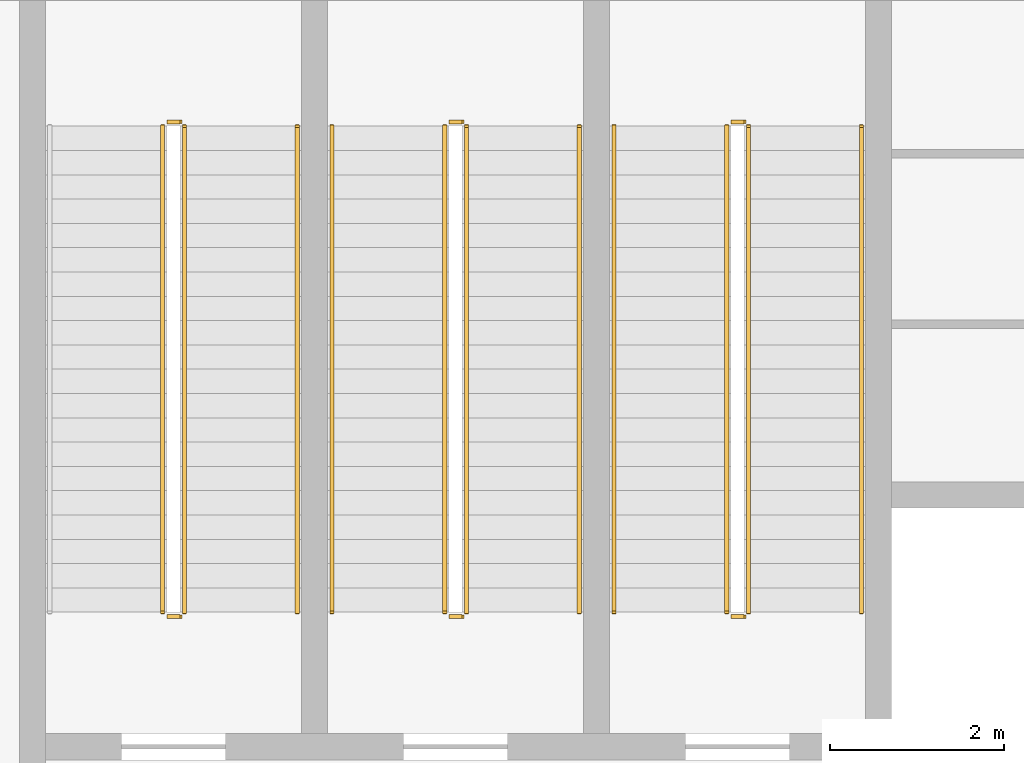
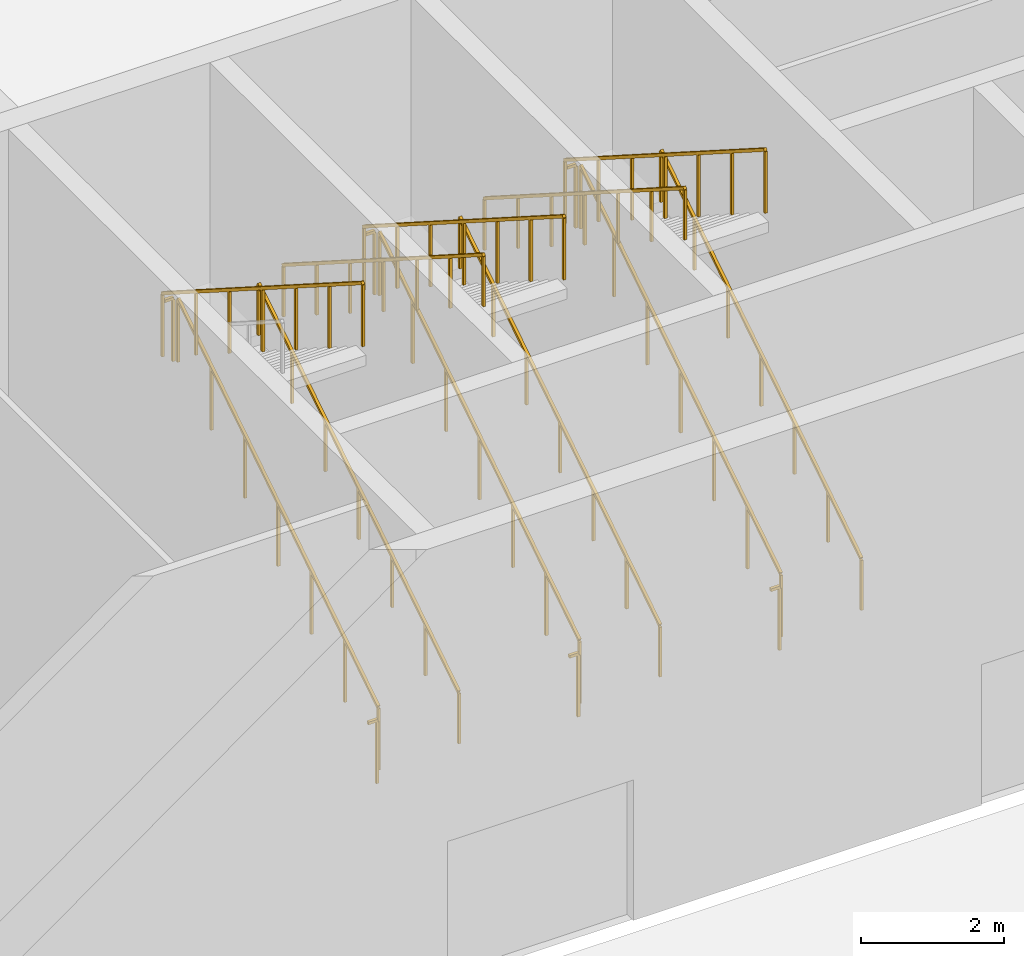
# One storey, part 54 of 79: 17 railings.
"""IFC4 building model written with IfcOpenShell, lengths in metres."""

from ifc_helpers import new_model, si_unit, direction, frame, origin, origin_2d, place, context, subcontext, project, spatial, rectangle, extrude, material, type_object, element, save


model = new_model("IFC4")

# Units and contexts
model_context = context("Model", 3, precision=1e-05, world=origin(), true_north=direction((0.0, 1.0)))
body_context = subcontext(model_context, "Body", "Model", "MODEL_VIEW")
ifc_project = project(units=[si_unit("LENGTHUNIT", "METRE"), si_unit("AREAUNIT", "SQUARE_METRE"), si_unit("VOLUMEUNIT", "CUBIC_METRE"), si_unit("PLANEANGLEUNIT", "RADIAN"), si_unit("MASSUNIT", "GRAM", prefix="KILO")], contexts=[model_context])

# Site, building, storey
site_placement = place(None, origin())
site = spatial("IfcSite", under=ifc_project, at=site_placement, CompositionType="ELEMENT")
building_placement = place(site_placement, origin())
building = spatial("IfcBuilding", under=site, at=building_placement, Name="Noorbagh Ring Tower", CompositionType="ELEMENT")
storey_placement = place(building_placement, origin())
storey = spatial("IfcBuildingStorey", under=building, at=storey_placement, Name="L00", CompositionType="ELEMENT", Elevation=0.0)

# Railings
ifc_material_1 = material(Name="Stainless steel", Category="steel")
railing_type_1 = type_object("IfcRailingType", Name="TH-STAIR-GUARD", PredefinedType="GUARDRAIL", material=ifc_material_1)
railing_1_placement = place(storey_placement, frame((-123.25, -16.25, 0.178466796875)))
element("IfcRailing", 1, at=railing_1_placement, inside=storey, type_object=railing_type_1, Name="L00 TSS1 stair guard 1", PredefinedType="GUARDRAIL", context=body_context, shape_type="SweptSolid", body=[
    extrude(rectangle(XDim=0.048095703125, YDim=0.048095703125, at=origin_2d()), frame((0.0, 0.0, 1.076171875), z_axis=(0.0, 0.843126799516, 0.537714794233), x_axis=(-1.0, 0.0, 0.0)), (0.0, 0.0, 1.0), 6.64208984375),
    extrude(rectangle(XDim=0.0419921875, YDim=0.0419921875, at=origin_2d()), origin(), (0.0, 0.0, 1.0), 1.052001953125),
    extrude(rectangle(XDim=0.0419921875, YDim=0.0419921875, at=origin_2d()), frame((0.0, 0.933349609375, 0.59521484375)), (0.0, 0.0, 1.0), 1.052001953125),
    extrude(rectangle(XDim=0.0419921875, YDim=0.0419921875, at=origin_2d()), frame((0.0, 1.86669921875, 1.1904296875)), (0.0, 0.0, 1.0), 1.052001953125),
    extrude(rectangle(XDim=0.0419921875, YDim=0.0419921875, at=origin_2d()), frame((0.0, 2.800048828125, 1.78564453125)), (0.0, 0.0, 1.0), 1.052001953125),
    extrude(rectangle(XDim=0.0419921875, YDim=0.0419921875, at=origin_2d()), frame((0.0, 3.7333984375, 2.381103515625)), (0.0, 0.0, 1.0), 1.052001953125),
    extrude(rectangle(XDim=0.0419921875, YDim=0.0419921875, at=origin_2d()), frame((0.0, 4.666748046875, 2.976318359375)), (0.0, 0.0, 1.0), 1.052001953125),
    extrude(rectangle(XDim=0.0419921875, YDim=0.0419921875, at=origin_2d()), frame((0.0, 5.60009765625, 3.571533203125)), (0.0, 0.0, 1.0), 1.052001953125),
])
railing_2_placement = place(storey_placement, frame((-123.300048828125, -10.60009765625, 3.75)))
element("IfcRailing", 2, at=railing_2_placement, inside=storey, type_object=railing_type_1, Name="L00 TSS1 stair guard 2", PredefinedType="GUARDRAIL", context=body_context, shape_type="SweptSolid", body=[
    extrude(rectangle(XDim=0.048095703125, YDim=0.048095703125, at=origin_2d()), frame((0.0, 0.0, 1.076171875), z_axis=(-1.0, 0.0, 0.0), x_axis=(0.0, -1.0, 0.0)), (0.0, 0.0, 1.0), 0.14990234375),
    extrude(rectangle(XDim=0.0419921875, YDim=0.0419921875, at=origin_2d()), origin(), (0.0, 0.0, 1.0), 1.052001953125),
])
railing_3_placement = place(storey_placement, frame((-123.5, -10.64990234375, 3.928466796875)))
element("IfcRailing", 3, at=railing_3_placement, inside=storey, type_object=railing_type_1, Name="L00 TSS1 stair guard 3", PredefinedType="GUARDRAIL", context=body_context, shape_type="SweptSolid", body=[
    extrude(rectangle(XDim=0.048095703125, YDim=0.048095703125, at=origin_2d()), frame((0.0, 0.0, 1.076171875), z_axis=(0.0, -0.843126799516, 0.537714794233), x_axis=(1.0, 0.0, 0.0)), (0.0, 0.0, 1.0), 6.64208984375),
    extrude(rectangle(XDim=0.0419921875, YDim=0.0419921875, at=origin_2d()), origin(), (0.0, 0.0, 1.0), 1.052001953125),
    extrude(rectangle(XDim=0.0419921875, YDim=0.0419921875, at=origin_2d()), frame((0.0, -0.933349609375, 0.59521484375)), (0.0, 0.0, 1.0), 1.052001953125),
    extrude(rectangle(XDim=0.0419921875, YDim=0.0419921875, at=origin_2d()), frame((0.0, -1.86669921875, 1.1904296875)), (0.0, 0.0, 1.0), 1.052001953125),
    extrude(rectangle(XDim=0.0419921875, YDim=0.0419921875, at=origin_2d()), frame((0.0, -2.800048828125, 1.78564453125)), (0.0, 0.0, 1.0), 1.052001953125),
    extrude(rectangle(XDim=0.0419921875, YDim=0.0419921875, at=origin_2d()), frame((0.0, -3.7333984375, 2.381103515625)), (0.0, 0.0, 1.0), 1.052001953125),
    extrude(rectangle(XDim=0.0419921875, YDim=0.0419921875, at=origin_2d()), frame((0.0, -4.666748046875, 2.976318359375)), (0.0, 0.0, 1.0), 1.052001953125),
    extrude(rectangle(XDim=0.0419921875, YDim=0.0419921875, at=origin_2d()), frame((0.0, -5.60009765625, 3.571533203125)), (0.0, 0.0, 1.0), 1.052001953125),
])
railing_4_placement = place(storey_placement, frame((-123.300048828125, -16.300048828125, 0.0)))
element("IfcRailing", 4, at=railing_4_placement, inside=storey, type_object=railing_type_1, Name="L00 TSS1 stair guard 4", PredefinedType="GUARDRAIL", context=body_context, shape_type="SweptSolid", body=[
    extrude(rectangle(XDim=0.048095703125, YDim=0.048095703125, at=origin_2d()), frame((0.0, 0.0, 1.076171875), z_axis=(-1.0, 0.0, 0.0), x_axis=(0.0, -1.0, 0.0)), (0.0, 0.0, 1.0), 0.14990234375),
    extrude(rectangle(XDim=0.0419921875, YDim=0.0419921875, at=origin_2d()), origin(), (0.0, 0.0, 1.0), 1.052001953125),
])
railing_5_placement = place(storey_placement, frame((-120.0, -16.25, 0.178466796875)))
element("IfcRailing", 5, at=railing_5_placement, inside=storey, type_object=railing_type_1, Name="L00 TSS2 stair guard 1", PredefinedType="GUARDRAIL", context=body_context, shape_type="SweptSolid", body=[
    extrude(rectangle(XDim=0.048095703125, YDim=0.048095703125, at=origin_2d()), frame((0.0, 0.0, 1.076171875), z_axis=(0.0, 0.843126799516, 0.537714794233), x_axis=(-1.0, 0.0, 0.0)), (0.0, 0.0, 1.0), 6.64208984375),
    extrude(rectangle(XDim=0.0419921875, YDim=0.0419921875, at=origin_2d()), origin(), (0.0, 0.0, 1.0), 1.052001953125),
    extrude(rectangle(XDim=0.0419921875, YDim=0.0419921875, at=origin_2d()), frame((0.0, 0.933349609375, 0.59521484375)), (0.0, 0.0, 1.0), 1.052001953125),
    extrude(rectangle(XDim=0.0419921875, YDim=0.0419921875, at=origin_2d()), frame((0.0, 1.86669921875, 1.1904296875)), (0.0, 0.0, 1.0), 1.052001953125),
    extrude(rectangle(XDim=0.0419921875, YDim=0.0419921875, at=origin_2d()), frame((0.0, 2.800048828125, 1.78564453125)), (0.0, 0.0, 1.0), 1.052001953125),
    extrude(rectangle(XDim=0.0419921875, YDim=0.0419921875, at=origin_2d()), frame((0.0, 3.7333984375, 2.381103515625)), (0.0, 0.0, 1.0), 1.052001953125),
    extrude(rectangle(XDim=0.0419921875, YDim=0.0419921875, at=origin_2d()), frame((0.0, 4.666748046875, 2.976318359375)), (0.0, 0.0, 1.0), 1.052001953125),
    extrude(rectangle(XDim=0.0419921875, YDim=0.0419921875, at=origin_2d()), frame((0.0, 5.60009765625, 3.571533203125)), (0.0, 0.0, 1.0), 1.052001953125),
])
railing_6_placement = place(storey_placement, frame((-120.050048828125, -10.60009765625, 3.75)))
element("IfcRailing", 6, at=railing_6_placement, inside=storey, type_object=railing_type_1, Name="L00 TSS2 stair guard 2", PredefinedType="GUARDRAIL", context=body_context, shape_type="SweptSolid", body=[
    extrude(rectangle(XDim=0.048095703125, YDim=0.048095703125, at=origin_2d()), frame((0.0, 0.0, 1.076171875), z_axis=(-1.0, 0.0, 0.0), x_axis=(0.0, -1.0, 0.0)), (0.0, 0.0, 1.0), 0.14990234375),
    extrude(rectangle(XDim=0.0419921875, YDim=0.0419921875, at=origin_2d()), origin(), (0.0, 0.0, 1.0), 1.052001953125),
])
railing_7_placement = place(storey_placement, frame((-120.25, -10.64990234375, 3.928466796875)))
element("IfcRailing", 7, at=railing_7_placement, inside=storey, type_object=railing_type_1, Name="L00 TSS2 stair guard 3", PredefinedType="GUARDRAIL", context=body_context, shape_type="SweptSolid", body=[
    extrude(rectangle(XDim=0.048095703125, YDim=0.048095703125, at=origin_2d()), frame((0.0, 0.0, 1.076171875), z_axis=(0.0, -0.843126799516, 0.537714794233), x_axis=(1.0, 0.0, 0.0)), (0.0, 0.0, 1.0), 6.64208984375),
    extrude(rectangle(XDim=0.0419921875, YDim=0.0419921875, at=origin_2d()), origin(), (0.0, 0.0, 1.0), 1.052001953125),
    extrude(rectangle(XDim=0.0419921875, YDim=0.0419921875, at=origin_2d()), frame((0.0, -0.933349609375, 0.59521484375)), (0.0, 0.0, 1.0), 1.052001953125),
    extrude(rectangle(XDim=0.0419921875, YDim=0.0419921875, at=origin_2d()), frame((0.0, -1.86669921875, 1.1904296875)), (0.0, 0.0, 1.0), 1.052001953125),
    extrude(rectangle(XDim=0.0419921875, YDim=0.0419921875, at=origin_2d()), frame((0.0, -2.800048828125, 1.78564453125)), (0.0, 0.0, 1.0), 1.052001953125),
    extrude(rectangle(XDim=0.0419921875, YDim=0.0419921875, at=origin_2d()), frame((0.0, -3.7333984375, 2.381103515625)), (0.0, 0.0, 1.0), 1.052001953125),
    extrude(rectangle(XDim=0.0419921875, YDim=0.0419921875, at=origin_2d()), frame((0.0, -4.666748046875, 2.976318359375)), (0.0, 0.0, 1.0), 1.052001953125),
    extrude(rectangle(XDim=0.0419921875, YDim=0.0419921875, at=origin_2d()), frame((0.0, -5.60009765625, 3.571533203125)), (0.0, 0.0, 1.0), 1.052001953125),
])
railing_8_placement = place(storey_placement, frame((-120.050048828125, -16.300048828125, 0.0)))
element("IfcRailing", 8, at=railing_8_placement, inside=storey, type_object=railing_type_1, Name="L00 TSS2 stair guard 4", PredefinedType="GUARDRAIL", context=body_context, shape_type="SweptSolid", body=[
    extrude(rectangle(XDim=0.048095703125, YDim=0.048095703125, at=origin_2d()), frame((0.0, 0.0, 1.076171875), z_axis=(-1.0, 0.0, 0.0), x_axis=(0.0, -1.0, 0.0)), (0.0, 0.0, 1.0), 0.14990234375),
    extrude(rectangle(XDim=0.0419921875, YDim=0.0419921875, at=origin_2d()), origin(), (0.0, 0.0, 1.0), 1.052001953125),
])
railing_9_placement = place(storey_placement, frame((-126.5, -16.25, 0.178466796875)))
element("IfcRailing", 9, at=railing_9_placement, inside=storey, type_object=railing_type_1, Name="L00 TSS3 stair guard 1", PredefinedType="GUARDRAIL", context=body_context, shape_type="SweptSolid", body=[
    extrude(rectangle(XDim=0.048095703125, YDim=0.048095703125, at=origin_2d()), frame((0.0, 0.0, 1.076171875), z_axis=(0.0, 0.843126799516, 0.537714794233), x_axis=(-1.0, 0.0, 0.0)), (0.0, 0.0, 1.0), 6.64208984375),
    extrude(rectangle(XDim=0.0419921875, YDim=0.0419921875, at=origin_2d()), origin(), (0.0, 0.0, 1.0), 1.052001953125),
    extrude(rectangle(XDim=0.0419921875, YDim=0.0419921875, at=origin_2d()), frame((0.0, 0.933349609375, 0.59521484375)), (0.0, 0.0, 1.0), 1.052001953125),
    extrude(rectangle(XDim=0.0419921875, YDim=0.0419921875, at=origin_2d()), frame((0.0, 1.86669921875, 1.1904296875)), (0.0, 0.0, 1.0), 1.052001953125),
    extrude(rectangle(XDim=0.0419921875, YDim=0.0419921875, at=origin_2d()), frame((0.0, 2.800048828125, 1.78564453125)), (0.0, 0.0, 1.0), 1.052001953125),
    extrude(rectangle(XDim=0.0419921875, YDim=0.0419921875, at=origin_2d()), frame((0.0, 3.7333984375, 2.381103515625)), (0.0, 0.0, 1.0), 1.052001953125),
    extrude(rectangle(XDim=0.0419921875, YDim=0.0419921875, at=origin_2d()), frame((0.0, 4.666748046875, 2.976318359375)), (0.0, 0.0, 1.0), 1.052001953125),
    extrude(rectangle(XDim=0.0419921875, YDim=0.0419921875, at=origin_2d()), frame((0.0, 5.60009765625, 3.571533203125)), (0.0, 0.0, 1.0), 1.052001953125),
])
railing_10_placement = place(storey_placement, frame((-126.550048828125, -10.60009765625, 3.75)))
element("IfcRailing", 10, at=railing_10_placement, inside=storey, type_object=railing_type_1, Name="L00 TSS3 stair guard 2", PredefinedType="GUARDRAIL", context=body_context, shape_type="SweptSolid", body=[
    extrude(rectangle(XDim=0.048095703125, YDim=0.048095703125, at=origin_2d()), frame((0.0, 0.0, 1.076171875), z_axis=(-1.0, 0.0, 0.0), x_axis=(0.0, -1.0, 0.0)), (0.0, 0.0, 1.0), 0.14990234375),
    extrude(rectangle(XDim=0.0419921875, YDim=0.0419921875, at=origin_2d()), origin(), (0.0, 0.0, 1.0), 1.052001953125),
])
railing_11_placement = place(storey_placement, frame((-126.75, -10.64990234375, 3.928466796875)))
element("IfcRailing", 11, at=railing_11_placement, inside=storey, type_object=railing_type_1, Name="L00 TSS3 stair guard 3", PredefinedType="GUARDRAIL", context=body_context, shape_type="SweptSolid", body=[
    extrude(rectangle(XDim=0.048095703125, YDim=0.048095703125, at=origin_2d()), frame((0.0, 0.0, 1.076171875), z_axis=(0.0, -0.843126799516, 0.537714794233), x_axis=(1.0, 0.0, 0.0)), (0.0, 0.0, 1.0), 6.64208984375),
    extrude(rectangle(XDim=0.0419921875, YDim=0.0419921875, at=origin_2d()), origin(), (0.0, 0.0, 1.0), 1.052001953125),
    extrude(rectangle(XDim=0.0419921875, YDim=0.0419921875, at=origin_2d()), frame((0.0, -0.933349609375, 0.59521484375)), (0.0, 0.0, 1.0), 1.052001953125),
    extrude(rectangle(XDim=0.0419921875, YDim=0.0419921875, at=origin_2d()), frame((0.0, -1.86669921875, 1.1904296875)), (0.0, 0.0, 1.0), 1.052001953125),
    extrude(rectangle(XDim=0.0419921875, YDim=0.0419921875, at=origin_2d()), frame((0.0, -2.800048828125, 1.78564453125)), (0.0, 0.0, 1.0), 1.052001953125),
    extrude(rectangle(XDim=0.0419921875, YDim=0.0419921875, at=origin_2d()), frame((0.0, -3.7333984375, 2.381103515625)), (0.0, 0.0, 1.0), 1.052001953125),
    extrude(rectangle(XDim=0.0419921875, YDim=0.0419921875, at=origin_2d()), frame((0.0, -4.666748046875, 2.976318359375)), (0.0, 0.0, 1.0), 1.052001953125),
    extrude(rectangle(XDim=0.0419921875, YDim=0.0419921875, at=origin_2d()), frame((0.0, -5.60009765625, 3.571533203125)), (0.0, 0.0, 1.0), 1.052001953125),
])
railing_12_placement = place(storey_placement, frame((-126.550048828125, -16.300048828125, 0.0)))
element("IfcRailing", 12, at=railing_12_placement, inside=storey, type_object=railing_type_1, Name="L00 TSS3 stair guard 4", PredefinedType="GUARDRAIL", context=body_context, shape_type="SweptSolid", body=[
    extrude(rectangle(XDim=0.048095703125, YDim=0.048095703125, at=origin_2d()), frame((0.0, 0.0, 1.076171875), z_axis=(-1.0, 0.0, 0.0), x_axis=(0.0, -1.0, 0.0)), (0.0, 0.0, 1.0), 0.14990234375),
    extrude(rectangle(XDim=0.0419921875, YDim=0.0419921875, at=origin_2d()), origin(), (0.0, 0.0, 1.0), 1.052001953125),
])
ifc_material_2 = material(Name="Stainless steel", Category="steel")
railing_type_2 = type_object("IfcRailingType", Name="TH-STAIR-HANDRAIL", PredefinedType="HANDRAIL", material=ifc_material_2)
railing_13_placement = place(storey_placement, frame((-121.949951171875, -16.25, 0.178466796875)))
element("IfcRailing", 13, at=railing_13_placement, inside=storey, type_object=railing_type_2, Name="L00 TSS1 stair handrail 1", PredefinedType="HANDRAIL", context=body_context, shape_type="SweptSolid", body=[
    extrude(rectangle(XDim=0.048095703125, YDim=0.048095703125, at=origin_2d()), frame((0.0, 0.0, 0.8759765625), z_axis=(0.0, 0.843126799516, 0.537714794233), x_axis=(-1.0, 0.0, 0.0)), (0.0, 0.0, 1.0), 6.64208984375),
    extrude(rectangle(XDim=0.0419921875, YDim=0.0419921875, at=origin_2d()), origin(), (0.0, 0.0, 1.0), 0.851806640625),
    extrude(rectangle(XDim=0.0419921875, YDim=0.0419921875, at=origin_2d()), frame((0.0, 0.933349609375, 0.59521484375)), (0.0, 0.0, 1.0), 0.851806640625),
    extrude(rectangle(XDim=0.0419921875, YDim=0.0419921875, at=origin_2d()), frame((0.0, 1.86669921875, 1.1904296875)), (0.0, 0.0, 1.0), 0.851806640625),
    extrude(rectangle(XDim=0.0419921875, YDim=0.0419921875, at=origin_2d()), frame((0.0, 2.800048828125, 1.78564453125)), (0.0, 0.0, 1.0), 0.851806640625),
    extrude(rectangle(XDim=0.0419921875, YDim=0.0419921875, at=origin_2d()), frame((0.0, 3.7333984375, 2.381103515625)), (0.0, 0.0, 1.0), 0.851806640625),
    extrude(rectangle(XDim=0.0419921875, YDim=0.0419921875, at=origin_2d()), frame((0.0, 4.666748046875, 2.976318359375)), (0.0, 0.0, 1.0), 0.851806640625),
    extrude(rectangle(XDim=0.0419921875, YDim=0.0419921875, at=origin_2d()), frame((0.0, 5.60009765625, 3.571533203125)), (0.0, 0.0, 1.0), 0.851806640625),
])
railing_14_placement = place(storey_placement, frame((-124.800048828125, -10.64990234375, 3.928466796875)))
element("IfcRailing", 14, at=railing_14_placement, inside=storey, type_object=railing_type_2, Name="L00 TSS1 stair handrail 2", PredefinedType="HANDRAIL", context=body_context, shape_type="SweptSolid", body=[
    extrude(rectangle(XDim=0.048095703125, YDim=0.048095703125, at=origin_2d()), frame((0.0, 0.0, 0.8759765625), z_axis=(0.0, -0.843126799516, 0.537714794233), x_axis=(1.0, 0.0, 0.0)), (0.0, 0.0, 1.0), 6.64208984375),
    extrude(rectangle(XDim=0.0419921875, YDim=0.0419921875, at=origin_2d()), origin(), (0.0, 0.0, 1.0), 0.851806640625),
    extrude(rectangle(XDim=0.0419921875, YDim=0.0419921875, at=origin_2d()), frame((0.0, -0.933349609375, 0.59521484375)), (0.0, 0.0, 1.0), 0.851806640625),
    extrude(rectangle(XDim=0.0419921875, YDim=0.0419921875, at=origin_2d()), frame((0.0, -1.86669921875, 1.1904296875)), (0.0, 0.0, 1.0), 0.851806640625),
    extrude(rectangle(XDim=0.0419921875, YDim=0.0419921875, at=origin_2d()), frame((0.0, -2.800048828125, 1.78564453125)), (0.0, 0.0, 1.0), 0.851806640625),
    extrude(rectangle(XDim=0.0419921875, YDim=0.0419921875, at=origin_2d()), frame((0.0, -3.7333984375, 2.381103515625)), (0.0, 0.0, 1.0), 0.851806640625),
    extrude(rectangle(XDim=0.0419921875, YDim=0.0419921875, at=origin_2d()), frame((0.0, -4.666748046875, 2.976318359375)), (0.0, 0.0, 1.0), 0.851806640625),
    extrude(rectangle(XDim=0.0419921875, YDim=0.0419921875, at=origin_2d()), frame((0.0, -5.60009765625, 3.571533203125)), (0.0, 0.0, 1.0), 0.851806640625),
])
railing_15_placement = place(storey_placement, frame((-118.699951171875, -16.25, 0.178466796875)))
element("IfcRailing", 15, at=railing_15_placement, inside=storey, type_object=railing_type_2, Name="L00 TSS2 stair handrail 1", PredefinedType="HANDRAIL", context=body_context, shape_type="SweptSolid", body=[
    extrude(rectangle(XDim=0.048095703125, YDim=0.048095703125, at=origin_2d()), frame((0.0, 0.0, 0.8759765625), z_axis=(0.0, 0.843126799516, 0.537714794233), x_axis=(-1.0, 0.0, 0.0)), (0.0, 0.0, 1.0), 6.64208984375),
    extrude(rectangle(XDim=0.0419921875, YDim=0.0419921875, at=origin_2d()), origin(), (0.0, 0.0, 1.0), 0.851806640625),
    extrude(rectangle(XDim=0.0419921875, YDim=0.0419921875, at=origin_2d()), frame((0.0, 0.933349609375, 0.59521484375)), (0.0, 0.0, 1.0), 0.851806640625),
    extrude(rectangle(XDim=0.0419921875, YDim=0.0419921875, at=origin_2d()), frame((0.0, 1.86669921875, 1.1904296875)), (0.0, 0.0, 1.0), 0.851806640625),
    extrude(rectangle(XDim=0.0419921875, YDim=0.0419921875, at=origin_2d()), frame((0.0, 2.800048828125, 1.78564453125)), (0.0, 0.0, 1.0), 0.851806640625),
    extrude(rectangle(XDim=0.0419921875, YDim=0.0419921875, at=origin_2d()), frame((0.0, 3.7333984375, 2.381103515625)), (0.0, 0.0, 1.0), 0.851806640625),
    extrude(rectangle(XDim=0.0419921875, YDim=0.0419921875, at=origin_2d()), frame((0.0, 4.666748046875, 2.976318359375)), (0.0, 0.0, 1.0), 0.851806640625),
    extrude(rectangle(XDim=0.0419921875, YDim=0.0419921875, at=origin_2d()), frame((0.0, 5.60009765625, 3.571533203125)), (0.0, 0.0, 1.0), 0.851806640625),
])
railing_16_placement = place(storey_placement, frame((-121.550048828125, -10.64990234375, 3.928466796875)))
element("IfcRailing", 16, at=railing_16_placement, inside=storey, type_object=railing_type_2, Name="L00 TSS2 stair handrail 2", PredefinedType="HANDRAIL", context=body_context, shape_type="SweptSolid", body=[
    extrude(rectangle(XDim=0.048095703125, YDim=0.048095703125, at=origin_2d()), frame((0.0, 0.0, 0.8759765625), z_axis=(0.0, -0.843126799516, 0.537714794233), x_axis=(1.0, 0.0, 0.0)), (0.0, 0.0, 1.0), 6.64208984375),
    extrude(rectangle(XDim=0.0419921875, YDim=0.0419921875, at=origin_2d()), origin(), (0.0, 0.0, 1.0), 0.851806640625),
    extrude(rectangle(XDim=0.0419921875, YDim=0.0419921875, at=origin_2d()), frame((0.0, -0.933349609375, 0.59521484375)), (0.0, 0.0, 1.0), 0.851806640625),
    extrude(rectangle(XDim=0.0419921875, YDim=0.0419921875, at=origin_2d()), frame((0.0, -1.86669921875, 1.1904296875)), (0.0, 0.0, 1.0), 0.851806640625),
    extrude(rectangle(XDim=0.0419921875, YDim=0.0419921875, at=origin_2d()), frame((0.0, -2.800048828125, 1.78564453125)), (0.0, 0.0, 1.0), 0.851806640625),
    extrude(rectangle(XDim=0.0419921875, YDim=0.0419921875, at=origin_2d()), frame((0.0, -3.7333984375, 2.381103515625)), (0.0, 0.0, 1.0), 0.851806640625),
    extrude(rectangle(XDim=0.0419921875, YDim=0.0419921875, at=origin_2d()), frame((0.0, -4.666748046875, 2.976318359375)), (0.0, 0.0, 1.0), 0.851806640625),
    extrude(rectangle(XDim=0.0419921875, YDim=0.0419921875, at=origin_2d()), frame((0.0, -5.60009765625, 3.571533203125)), (0.0, 0.0, 1.0), 0.851806640625),
])
railing_17_placement = place(storey_placement, frame((-125.199951171875, -16.25, 0.178466796875)))
element("IfcRailing", 17, at=railing_17_placement, inside=storey, type_object=railing_type_2, Name="L00 TSS3 stair handrail 1", PredefinedType="HANDRAIL", context=body_context, shape_type="SweptSolid", body=[
    extrude(rectangle(XDim=0.048095703125, YDim=0.048095703125, at=origin_2d()), frame((0.0, 0.0, 0.8759765625), z_axis=(0.0, 0.843126799516, 0.537714794233), x_axis=(-1.0, 0.0, 0.0)), (0.0, 0.0, 1.0), 6.64208984375),
    extrude(rectangle(XDim=0.0419921875, YDim=0.0419921875, at=origin_2d()), origin(), (0.0, 0.0, 1.0), 0.851806640625),
    extrude(rectangle(XDim=0.0419921875, YDim=0.0419921875, at=origin_2d()), frame((0.0, 0.933349609375, 0.59521484375)), (0.0, 0.0, 1.0), 0.851806640625),
    extrude(rectangle(XDim=0.0419921875, YDim=0.0419921875, at=origin_2d()), frame((0.0, 1.86669921875, 1.1904296875)), (0.0, 0.0, 1.0), 0.851806640625),
    extrude(rectangle(XDim=0.0419921875, YDim=0.0419921875, at=origin_2d()), frame((0.0, 2.800048828125, 1.78564453125)), (0.0, 0.0, 1.0), 0.851806640625),
    extrude(rectangle(XDim=0.0419921875, YDim=0.0419921875, at=origin_2d()), frame((0.0, 3.7333984375, 2.381103515625)), (0.0, 0.0, 1.0), 0.851806640625),
    extrude(rectangle(XDim=0.0419921875, YDim=0.0419921875, at=origin_2d()), frame((0.0, 4.666748046875, 2.976318359375)), (0.0, 0.0, 1.0), 0.851806640625),
    extrude(rectangle(XDim=0.0419921875, YDim=0.0419921875, at=origin_2d()), frame((0.0, 5.60009765625, 3.571533203125)), (0.0, 0.0, 1.0), 0.851806640625),
])

save(model, "model.ifc")
